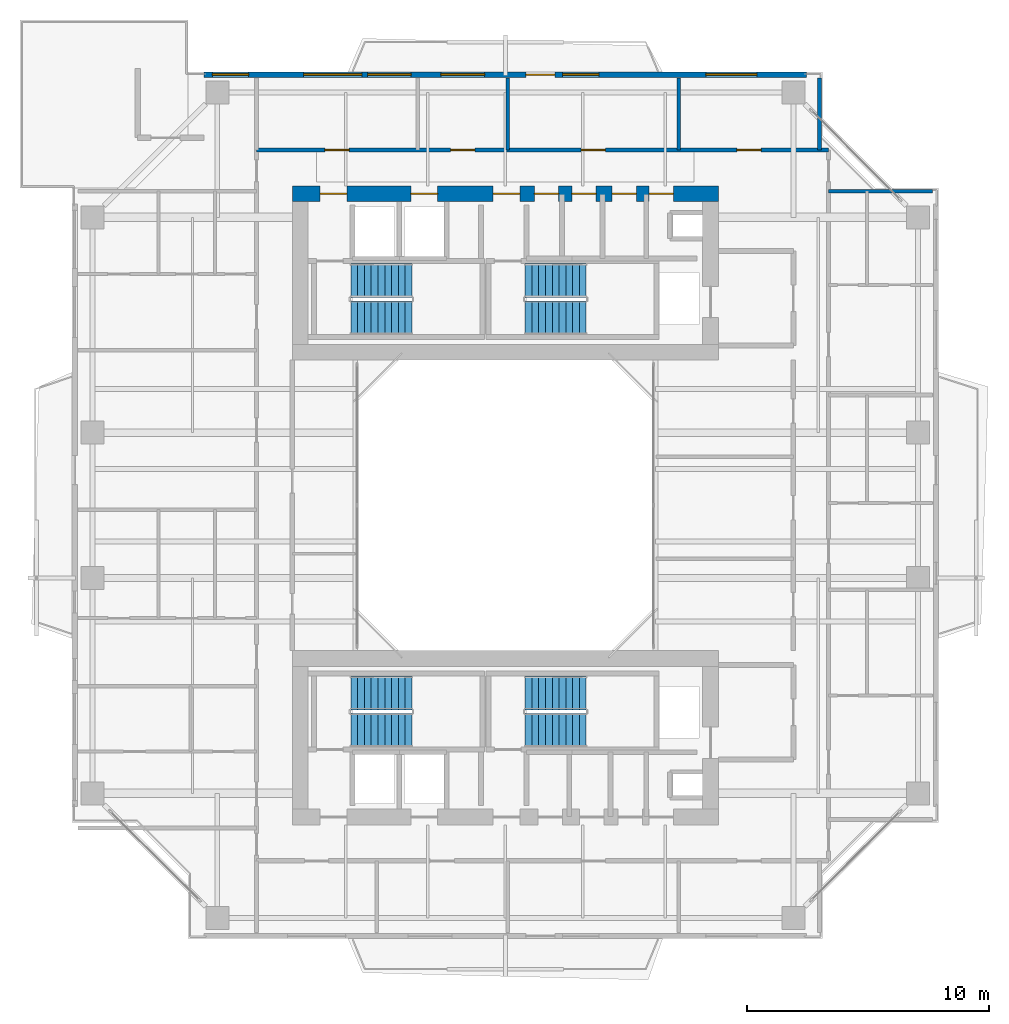
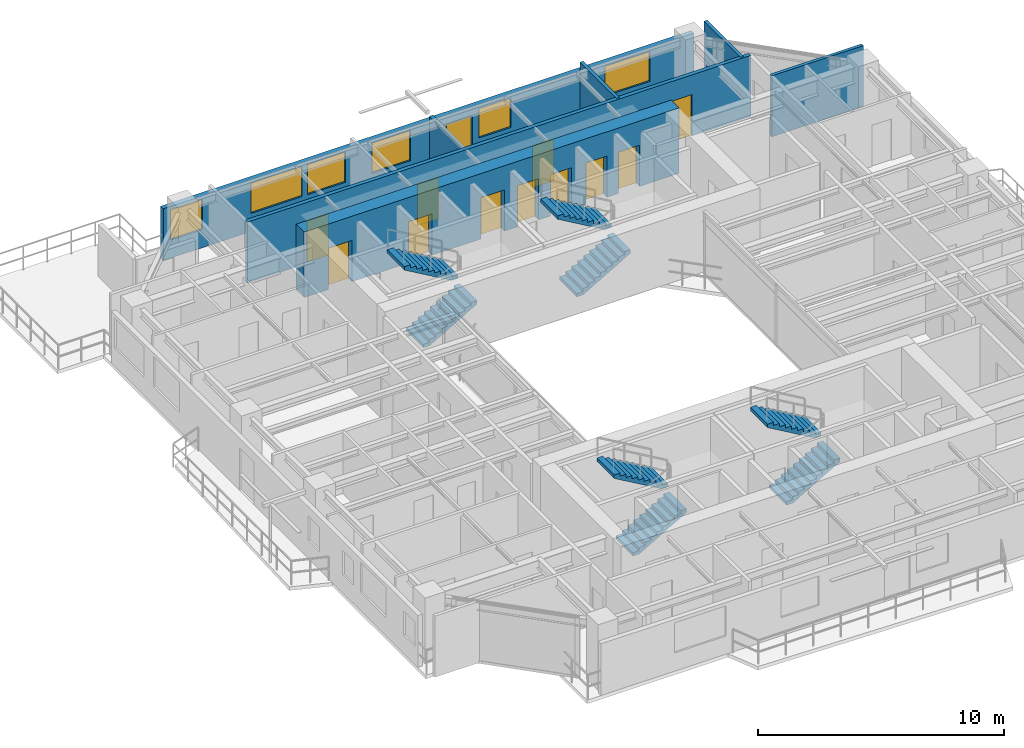
# One storey, part 14 of 18: 12 doors, 8 stair flights, 7 walls, 6 windows, 18 openings, 4 elements without a shape of their own.
"""IFC4 building model written with IfcOpenShell, lengths in metres."""

from ifc_helpers import new_model, si_unit, direction, frame, frame_2d, origin, place, context, subcontext, project, spatial, polyline, rectangle, outline, extrude, source, transform, mapped, material, layer, layer_set, type_object, element, fill, aggregate, save


model = new_model("IFC4")

# Units and contexts
model_context = context("Model", 3, precision=1e-05, world=origin(), true_north=direction((0.0, 1.0)))
body_context = subcontext(model_context, "Body", "Model", "MODEL_VIEW")
ifc_project = project(units=[si_unit("LENGTHUNIT", "METRE"), si_unit("AREAUNIT", "SQUARE_METRE"), si_unit("VOLUMEUNIT", "CUBIC_METRE"), si_unit("PLANEANGLEUNIT", "RADIAN"), si_unit("MASSUNIT", "GRAM", prefix="KILO"), si_unit("THERMODYNAMICTEMPERATUREUNIT", "KELVIN"), si_unit("POWERUNIT", "WATT")], contexts=[model_context])

# Site, building, storey
site_placement = place(None, origin())
site = spatial("IfcSite", under=ifc_project, at=site_placement, CompositionType="ELEMENT")
building_placement = place(site_placement, origin())
building = spatial("IfcBuilding", under=site, at=building_placement, Name="Qiaomeng Ring Towers", CompositionType="ELEMENT")
storey_placement = place(building_placement, frame((0.0, 0.0, 182.75)))
storey = spatial("IfcBuildingStorey", under=building, at=storey_placement, Name="L53", CompositionType="ELEMENT", Elevation=182.75)

# Wall, openings, windows, door
ifc_material_1 = material(Name="Precast concrete C40", Category="concrete")
ifc_layer_1 = layer(ifc_material_1, 0.219970703125, Name="Precast concrete C40")
ifc_layer_set_1 = layer_set([ifc_layer_1], Name="Precast concrete C40")
wall_type_1 = type_object("IfcWallType", Name="ARC-WL-EW2", PredefinedType="STANDARD", material=ifc_layer_set_1)
wall_1_placement = place(storey_placement, frame((6.550048828125, 40.7900390625, 0.0), z_axis=(0.0, 0.0, 1.0), x_axis=(1.0, 0.0, 0.0)))
wall_1 = element("IfcWall", 1, at=wall_1_placement, inside=storey, type_object=wall_type_1, Name="L53 Tower 1 N Exterior Wall", PredefinedType="STANDARD", context=body_context, shape_type="SweptSolid", body=[
    extrude(rectangle(XDim=24.89990234375, YDim=0.219970703125, at=frame_2d((12.449951171875, 0.0))), origin(), (0.0, 0.0, 1.0), 2.570068359375),
])
opening_1_placement = place(wall_1_placement, frame((13.300048828125, 0.0, 0.0)))
opening_1 = element("IfcOpeningElement", 2, at=opening_1_placement, cuts=wall_1, Name="Opening BD1", PredefinedType="OPENING", context=body_context, shape_type="SweptSolid", body=[
    extrude(rectangle(XDim=1.199951171875, YDim=2.10009765625, at=frame_2d((0.60009765625, 1.050048828125))), frame((0.0, 0.119873046875, 0.0), z_axis=(0.0, -1.0, 0.0), x_axis=(1.0, 0.0, 0.0)), (0.0, 0.0, 1.0), 0.239990234375),
])
opening_2_placement = place(wall_1_placement, frame((0.342529296875, 0.0, 0.89990234375)))
opening_2 = element("IfcOpeningElement", 3, at=opening_2_placement, cuts=wall_1, Name="Opening WN2", PredefinedType="OPENING", context=body_context, shape_type="SweptSolid", body=[
    extrude(rectangle(XDim=1.5, YDim=1.5, at=frame_2d((0.75, 0.75))), frame((0.0, 0.119873046875, 0.0), z_axis=(0.0, -1.0, 0.0), x_axis=(1.0, 0.0, 0.0)), (0.0, 0.0, 1.0), 0.239990234375),
])
opening_3_placement = place(wall_1_placement, frame((9.7900390625, 0.0, 0.89990234375)))
opening_3 = element("IfcOpeningElement", 4, at=opening_3_placement, cuts=wall_1, Name="Opening WN1", PredefinedType="OPENING", context=body_context, shape_type="SweptSolid", body=[
    extrude(rectangle(XDim=1.800048828125, YDim=1.5, at=frame_2d((0.89990234375, 0.75))), frame((0.0, 0.119873046875, 0.0), z_axis=(0.0, -1.0, 0.0), x_axis=(1.0, 0.0, 0.0)), (0.0, 0.0, 1.0), 0.239990234375),
])
opening_4_placement = place(wall_1_placement, frame((14.81298828125, 0.0, 0.89990234375)))
opening_4 = element("IfcOpeningElement", 5, at=opening_4_placement, cuts=wall_1, Name="Opening WN2", PredefinedType="OPENING", context=body_context, shape_type="SweptSolid", body=[
    extrude(rectangle(XDim=1.5, YDim=1.449951171875, at=frame_2d((0.75, 0.72509765625))), frame((0.0, 0.119873046875, 0.0), z_axis=(0.0, -1.0, 0.0), x_axis=(1.0, 0.0, 0.0)), (0.0, 0.0, 1.0), 0.239990234375),
])
opening_5_placement = place(wall_1_placement, frame((20.738037109375, 0.0, 0.89990234375)))
opening_5 = element("IfcOpeningElement", 6, at=opening_5_placement, cuts=wall_1, Name="Opening WN4", PredefinedType="OPENING", context=body_context, shape_type="SweptSolid", body=[
    extrude(rectangle(XDim=2.10009765625, YDim=1.47998046875, at=frame_2d((1.050048828125, 0.739990234375))), frame((0.0, 0.119873046875, 0.0), z_axis=(0.0, -1.0, 0.0), x_axis=(1.0, 0.0, 0.0)), (0.0, 0.0, 1.0), 0.239990234375),
])
opening_6_placement = place(wall_1_placement, frame((4.12158203125, 0.0, 0.89990234375)))
opening_6 = element("IfcOpeningElement", 7, at=opening_6_placement, cuts=wall_1, Name="Opening WN6", PredefinedType="OPENING", context=body_context, shape_type="SweptSolid", body=[
    extrude(rectangle(XDim=2.39990234375, YDim=1.5, at=frame_2d((1.199951171875, 0.75))), frame((0.0, 0.119873046875, 0.0), z_axis=(0.0, -1.0, 0.0), x_axis=(1.0, 0.0, 0.0)), (0.0, 0.0, 1.0), 0.239990234375),
])
opening_7_placement = place(wall_1_placement, frame((6.75830078125, 0.0, 0.89990234375)))
opening_7 = element("IfcOpeningElement", 8, at=opening_7_placement, cuts=wall_1, Name="Opening WN1", PredefinedType="OPENING", context=body_context, shape_type="SweptSolid", body=[
    extrude(rectangle(XDim=1.800048828125, YDim=1.5, at=frame_2d((0.89990234375, 0.75))), frame((0.0, 0.119873046875, 0.0), z_axis=(0.0, -1.0, 0.0), x_axis=(1.0, 0.0, 0.0)), (0.0, 0.0, 1.0), 0.239990234375),
])
ifc_material_2 = material(Name="Low-E dark-grey laminated double glazing", Category="glass")
window_type_1 = type_object("IfcWindowType", Name="ARC-WN-2", PartitioningType="DOUBLE_PANEL_VERTICAL", PredefinedType="WINDOW", material=ifc_material_2)
shared_shape_1 = source(origin(), body_context, "Body", "SweptSolid", [
    extrude(rectangle(XDim=1.5, YDim=1.449951171875, at=frame_2d((0.75, 0.72509765625))), frame((0.0, 0.030029296875, 0.0), z_axis=(0.0, -1.0, 0.0), x_axis=(1.0, 0.0, 0.0)), (0.0, 0.0, 1.0), 0.06005859375),
])
window_1_placement = place(opening_4_placement, origin())
window_1 = element("IfcWindow", 9, at=window_1_placement, inside=storey, type_object=window_type_1, Name="L53 Exterior Window WN2", OverallHeight=1.449951171875, OverallWidth=1.5, PartitioningType="DOUBLE_PANEL_VERTICAL", PredefinedType="WINDOW", context=body_context, shape_type="MappedRepresentation", body=[
    mapped(shared_shape_1, transform((0.0, 0.0, 0.0), x_axis=(1.0, 0.0, 0.0), y_axis=(0.0, 1.0, 0.0), z_axis=(0.0, 0.0, 1.0), scale=1.0)),
])
fill(opening_4, window_1)
window_type_2 = type_object("IfcWindowType", Name="ARC-WN-4", PartitioningType="TRIPLE_PANEL_VERTICAL", PredefinedType="WINDOW", material=ifc_material_2)
shared_shape_2 = source(origin(), body_context, "Body", "SweptSolid", [
    extrude(rectangle(XDim=2.10009765625, YDim=1.47998046875, at=frame_2d((1.050048828125, 0.739990234375))), frame((0.0, 0.030029296875, 0.0), z_axis=(0.0, -1.0, 0.0), x_axis=(1.0, 0.0, 0.0)), (0.0, 0.0, 1.0), 0.06005859375),
])
window_2_placement = place(opening_5_placement, origin())
window_2 = element("IfcWindow", 10, at=window_2_placement, inside=storey, type_object=window_type_2, Name="L53 Exterior Window WN4", OverallHeight=1.47998046875, OverallWidth=2.10009765625, PartitioningType="TRIPLE_PANEL_VERTICAL", PredefinedType="WINDOW", context=body_context, shape_type="MappedRepresentation", body=[
    mapped(shared_shape_2, transform((0.0, 0.0, 0.0), x_axis=(1.0, 0.0, 0.0), y_axis=(0.0, 1.0, 0.0), z_axis=(0.0, 0.0, 1.0), scale=1.0)),
])
fill(opening_5, window_2)
door_type_1 = type_object("IfcDoorType", Name="ARC-DR-BD1", OperationType="NOTDEFINED", PredefinedType="DOOR", material=ifc_material_2)
shared_shape_3 = source(origin(), body_context, "Body", "SweptSolid", [
    extrude(rectangle(XDim=1.199951171875, YDim=2.10009765625, at=frame_2d((0.60009765625, 1.050048828125))), frame((0.0, 0.02490234375, 0.0), z_axis=(0.0, -1.0, 0.0), x_axis=(1.0, 0.0, 0.0)), (0.0, 0.0, 1.0), 0.050048828125),
])
door_1_placement = place(opening_1_placement, origin())
door_1 = element("IfcDoor", 11, at=door_1_placement, inside=storey, type_object=door_type_1, Name="L53 N Balcony Glazed Door", OperationType="SINGLE_SWING_LEFT", OverallHeight=2.10009765625, OverallWidth=1.199951171875, PredefinedType="DOOR", context=body_context, shape_type="MappedRepresentation", body=[
    mapped(shared_shape_3, transform((0.0, 0.0, 0.0), x_axis=(1.0, 0.0, 0.0), y_axis=(0.0, 1.0, 0.0), z_axis=(0.0, 0.0, 1.0), scale=1.0)),
])
fill(opening_1, door_1)
shared_shape_4 = source(origin(), body_context, "Body", "SweptSolid", [
    extrude(rectangle(XDim=1.5, YDim=1.5, at=frame_2d((0.75, 0.75))), frame((0.0, 0.030029296875, 0.0), z_axis=(0.0, -1.0, 0.0), x_axis=(1.0, 0.0, 0.0)), (0.0, 0.0, 1.0), 0.06005859375),
])
window_3_placement = place(opening_2_placement, origin())
window_3 = element("IfcWindow", 12, at=window_3_placement, inside=storey, type_object=window_type_1, Name="L53 Exterior Window WN6", OverallHeight=1.5, OverallWidth=1.5, PartitioningType="TRIPLE_PANEL_VERTICAL", PredefinedType="WINDOW", context=body_context, shape_type="MappedRepresentation", body=[
    mapped(shared_shape_4, transform((0.0, 0.0, 0.0), x_axis=(1.0, 0.0, 0.0), y_axis=(0.0, 1.0, 0.0), z_axis=(0.0, 0.0, 1.0), scale=1.0)),
])
fill(opening_2, window_3)
window_type_3 = type_object("IfcWindowType", Name="ARC-WN-6", PartitioningType="TRIPLE_PANEL_VERTICAL", PredefinedType="WINDOW", material=ifc_material_2)
shared_shape_5 = source(origin(), body_context, "Body", "SweptSolid", [
    extrude(rectangle(XDim=2.39990234375, YDim=1.5, at=frame_2d((1.199951171875, 0.75))), frame((0.0, 0.030029296875, 0.0), z_axis=(0.0, -1.0, 0.0), x_axis=(1.0, 0.0, 0.0)), (0.0, 0.0, 1.0), 0.06005859375),
])
window_4_placement = place(opening_6_placement, origin())
window_4 = element("IfcWindow", 13, at=window_4_placement, inside=storey, type_object=window_type_3, Name="L53 Exterior Window WN6", OverallHeight=1.5, OverallWidth=2.39990234375, PartitioningType="TRIPLE_PANEL_VERTICAL", PredefinedType="WINDOW", context=body_context, shape_type="MappedRepresentation", body=[
    mapped(shared_shape_5, transform((0.0, 0.0, 0.0), x_axis=(1.0, 0.0, 0.0), y_axis=(0.0, 1.0, 0.0), z_axis=(0.0, 0.0, 1.0), scale=1.0)),
])
fill(opening_6, window_4)
window_type_4 = type_object("IfcWindowType", Name="ARC-WN-1", PartitioningType="DOUBLE_PANEL_VERTICAL", PredefinedType="WINDOW", material=ifc_material_2)
shared_shape_6 = source(origin(), body_context, "Body", "SweptSolid", [
    extrude(rectangle(XDim=1.800048828125, YDim=1.5, at=frame_2d((0.89990234375, 0.75))), frame((0.0, 0.030029296875, 0.0), z_axis=(0.0, -1.0, 0.0), x_axis=(1.0, 0.0, 0.0)), (0.0, 0.0, 1.0), 0.06005859375),
])
window_5_placement = place(opening_3_placement, origin())
window_5 = element("IfcWindow", 14, at=window_5_placement, inside=storey, type_object=window_type_4, Name="L53 Exterior Window WN1", OverallHeight=1.5, OverallWidth=1.800048828125, PartitioningType="DOUBLE_PANEL_VERTICAL", PredefinedType="WINDOW", context=body_context, shape_type="MappedRepresentation", body=[
    mapped(shared_shape_6, transform((0.0, 0.0, 0.0), x_axis=(1.0, 0.0, 0.0), y_axis=(0.0, 1.0, 0.0), z_axis=(0.0, 0.0, 1.0), scale=1.0)),
])
fill(opening_3, window_5)
window_6_placement = place(opening_7_placement, origin())
window_6 = element("IfcWindow", 15, at=window_6_placement, inside=storey, type_object=window_type_4, Name="L53 Exterior Window WN1", OverallHeight=1.5, OverallWidth=1.800048828125, PartitioningType="DOUBLE_PANEL_VERTICAL", PredefinedType="WINDOW", context=body_context, shape_type="MappedRepresentation", body=[
    mapped(shared_shape_6, transform((0.0, 0.0, 0.0), x_axis=(1.0, 0.0, 0.0), y_axis=(0.0, 1.0, 0.0), z_axis=(0.0, 0.0, 1.0), scale=1.0)),
])
fill(opening_7, window_6)

# Wall, openings, doors
ifc_material_3 = material(Name="Autoclaved aerated concrete block", Category="concrete")
ifc_layer_2 = layer(ifc_material_3, 0.179931640625, Name="Autoclaved aerated concrete block")
ifc_layer_set_2 = layer_set([ifc_layer_2], Name="Autoclaved aerated concrete block")
wall_type_2 = type_object("IfcWallType", Name="ARC-WL-PW2", PredefinedType="PARTITIONING", material=ifc_layer_set_2)
wall_2_placement = place(storey_placement, frame((8.719970703125, 37.679931640625, 0.0), z_axis=(0.0, 0.0, 1.0), x_axis=(1.0, 0.0, 0.0)))
wall_2 = element("IfcWall", 16, at=wall_2_placement, inside=storey, type_object=wall_type_2, Name="L53 Interior Wall PW2", PredefinedType="PARTITIONING", context=body_context, shape_type="SweptSolid", body=[
    extrude(rectangle(XDim=23.630126953125, YDim=0.179931640625, at=frame_2d((11.81494140625, 0.0))), origin(), (0.0, 0.0, 1.0), 3.030029296875),
])
opening_8_placement = place(wall_2_placement, frame((2.830078125, 0.0, 0.0)))
opening_8 = element("IfcOpeningElement", 17, at=opening_8_placement, cuts=wall_2, Name="Opening FD4", PredefinedType="OPENING", context=body_context, shape_type="SweptSolid", body=[
    extrude(rectangle(XDim=1.0, YDim=2.050048828125, at=frame_2d((0.5, 1.02490234375))), frame((0.0, 0.099853515625, 0.0), z_axis=(0.0, -1.0, 0.0), x_axis=(1.0, 0.0, 0.0)), (0.0, 0.0, 1.0), 0.199951171875),
])
opening_9_placement = place(wall_2_placement, frame((8.02001953125, 0.0, 0.0)))
opening_9 = element("IfcOpeningElement", 18, at=opening_9_placement, cuts=wall_2, Name="Opening FD4", PredefinedType="OPENING", context=body_context, shape_type="SweptSolid", body=[
    extrude(rectangle(XDim=1.0, YDim=2.050048828125, at=frame_2d((0.5, 1.02490234375))), frame((0.0, 0.099853515625, 0.0), z_axis=(0.0, -1.0, 0.0), x_axis=(1.0, 0.0, 0.0)), (0.0, 0.0, 1.0), 0.199951171875),
])
opening_10_placement = place(wall_2_placement, frame((13.409912109375, 0.0, 0.0)))
opening_10 = element("IfcOpeningElement", 19, at=opening_10_placement, cuts=wall_2, Name="Opening FD4", PredefinedType="OPENING", context=body_context, shape_type="SweptSolid", body=[
    extrude(rectangle(XDim=1.0, YDim=2.050048828125, at=frame_2d((0.5, 1.02490234375))), frame((0.0, 0.099853515625, 0.0), z_axis=(0.0, -1.0, 0.0), x_axis=(1.0, 0.0, 0.0)), (0.0, 0.0, 1.0), 0.199951171875),
])
opening_11_placement = place(wall_2_placement, frame((19.85009765625, 0.0, 0.0)))
opening_11 = element("IfcOpeningElement", 20, at=opening_11_placement, cuts=wall_2, Name="Opening FD4", PredefinedType="OPENING", context=body_context, shape_type="SweptSolid", body=[
    extrude(rectangle(XDim=1.0, YDim=2.050048828125, at=frame_2d((0.5, 1.02490234375))), frame((0.0, 0.099853515625, 0.0), z_axis=(0.0, -1.0, 0.0), x_axis=(1.0, 0.0, 0.0)), (0.0, 0.0, 1.0), 0.199951171875),
])
ifc_material_4 = material(Name="Engineered fire-rated oak timber", Category="wood")
door_type_2 = type_object("IfcDoorType", Name="ARC-DR-FD4", OperationType="NOTDEFINED", PredefinedType="DOOR", material=ifc_material_4)
shared_shape_7 = source(origin(), body_context, "Body", "SweptSolid", [
    extrude(rectangle(XDim=1.0, YDim=2.050048828125, at=frame_2d((0.5, 1.02490234375))), frame((0.0, 0.02490234375, 0.0), z_axis=(0.0, -1.0, 0.0), x_axis=(1.0, 0.0, 0.0)), (0.0, 0.0, 1.0), 0.050048828125),
])
door_2_placement = place(opening_8_placement, origin())
door_2 = element("IfcDoor", 21, at=door_2_placement, inside=storey, type_object=door_type_2, Name="L53 Door FD4", OperationType="SINGLE_SWING_LEFT", OverallHeight=2.050048828125, OverallWidth=1.0, PredefinedType="DOOR", context=body_context, shape_type="MappedRepresentation", body=[
    mapped(shared_shape_7, transform((0.0, 0.0, 0.0), x_axis=(1.0, 0.0, 0.0), y_axis=(0.0, 1.0, 0.0), z_axis=(0.0, 0.0, 1.0), scale=1.0)),
])
fill(opening_8, door_2)
door_3_placement = place(opening_9_placement, origin())
door_3 = element("IfcDoor", 22, at=door_3_placement, inside=storey, type_object=door_type_2, Name="L53 Door FD4", OperationType="SINGLE_SWING_RIGHT", OverallHeight=2.050048828125, OverallWidth=1.0, PredefinedType="DOOR", context=body_context, shape_type="MappedRepresentation", body=[
    mapped(shared_shape_7, transform((0.0, 0.0, 0.0), x_axis=(1.0, 0.0, 0.0), y_axis=(0.0, 1.0, 0.0), z_axis=(0.0, 0.0, 1.0), scale=1.0)),
])
fill(opening_9, door_3)
door_4_placement = place(opening_10_placement, origin())
door_4 = element("IfcDoor", 23, at=door_4_placement, inside=storey, type_object=door_type_2, Name="L53 Door FD4", OperationType="SINGLE_SWING_LEFT", OverallHeight=2.050048828125, OverallWidth=1.0, PredefinedType="DOOR", context=body_context, shape_type="MappedRepresentation", body=[
    mapped(shared_shape_7, transform((0.0, 0.0, 0.0), x_axis=(1.0, 0.0, 0.0), y_axis=(0.0, 1.0, 0.0), z_axis=(0.0, 0.0, 1.0), scale=1.0)),
])
fill(opening_10, door_4)
door_5_placement = place(opening_11_placement, origin())
door_5 = element("IfcDoor", 24, at=door_5_placement, inside=storey, type_object=door_type_2, Name="L53 Door FD4", OperationType="SINGLE_SWING_RIGHT", OverallHeight=2.050048828125, OverallWidth=1.0, PredefinedType="DOOR", context=body_context, shape_type="MappedRepresentation", body=[
    mapped(shared_shape_7, transform((0.0, 0.0, 0.0), x_axis=(1.0, 0.0, 0.0), y_axis=(0.0, 1.0, 0.0), z_axis=(0.0, 0.0, 1.0), scale=1.0)),
])
fill(opening_11, door_5)

# Walls
ifc_material_5 = material(Name="Gypsum fireboard steel-stud partition", Category="steel")
ifc_layer_3 = layer(ifc_material_5, 0.14990234375, Name="Gypsum fireboard steel-stud partition")
ifc_layer_set_3 = layer_set([ifc_layer_3], Name="Gypsum fireboard steel-stud partition")
wall_type_3 = type_object("IfcWallType", Name="ARC-WL-PW3", PredefinedType="PARTITIONING", material=ifc_layer_set_3)
wall_3_placement = place(storey_placement, frame((19.10009765625, 37.679931640625, 0.0), z_axis=(0.0, 0.0, 1.0), x_axis=(0.0, 1.0, 0.0)))
element("IfcWall", 25, at=wall_3_placement, inside=storey, type_object=wall_type_3, Name="L53 Interior Wall PW3", PredefinedType="PARTITIONING", context=body_context, shape_type="SweptSolid", body=[
    extrude(rectangle(XDim=2.969970703125, YDim=0.14990234375, at=frame_2d((1.48486328125, 0.0))), origin(), (0.0, 0.0, 1.0), 2.824951171875),
])
for number, where, z_axis, x_axis, name in (
    (26, (26.159912109375, 37.679931640625, 0.0), (0.0, 0.0, 1.0), (0.0, 1.0, 0.0), "L53 Interior Wall PW3"),
    (27, (31.97998046875, 37.679931640625, 0.0), (0.0, 0.0, 1.0), (0.0, 1.0, 0.0), "L53 Interior Wall PW3"),
):
    element("IfcWall", number, at=place(storey_placement, frame(where, z_axis=z_axis, x_axis=x_axis)), inside=storey, type_object=wall_type_3, Name=name, PredefinedType="PARTITIONING", context=body_context, shape_type="SweptSolid", body=[
        extrude(rectangle(XDim=2.969970703125, YDim=0.14990234375, at=frame_2d((1.48486328125, 0.0))), origin(), (0.0, 0.0, 1.0), 3.030029296875),
    ])
wall_4_placement = place(storey_placement, frame((32.35009765625, 35.97998046875, 0.0), z_axis=(0.0, 0.0, 1.0), x_axis=(1.0, 0.0, 0.0)))
element("IfcWall", 28, at=wall_4_placement, inside=storey, type_object=wall_type_3, Name="L53 Interior Wall PW3", PredefinedType="PARTITIONING", context=body_context, shape_type="SweptSolid", body=[
    extrude(rectangle(XDim=4.2998046875, YDim=0.14990234375, at=frame_2d((2.14990234375, 0.0))), origin(), (0.0, 0.0, 1.0), 3.030029296875),
])

# Wall, openings, doors
ifc_material_6 = material(Name="Concrete C50", Category="concrete")
ifc_layer_4 = layer(ifc_material_6, 0.64990234375, Name="Concrete C50")
ifc_layer_set_4 = layer_set([ifc_layer_4], Name="Concrete C50")
wall_type_4 = type_object("IfcWallType", Name="STR-WL-SW2B", PredefinedType="SHEAR", material=ifc_layer_set_4)
wall_5_placement = place(storey_placement, frame((10.199951171875, 35.875, 0.0), z_axis=(0.0, 0.0, 1.0), x_axis=(1.0, 0.0, 0.0)))
wall_5 = element("IfcWall", 29, at=wall_5_placement, inside=storey, type_object=wall_type_4, Name="L53 T1NC north core shear wall", PredefinedType="SHEAR", context=body_context, shape_type="SweptSolid", body=[
    extrude(rectangle(XDim=17.60009765625, YDim=0.64990234375, at=frame_2d((8.800048828125, 0.0))), origin(), (0.0, 0.0, 1.0), 3.25),
])
opening_12_placement = place(wall_5_placement, frame((1.14990234375, 0.0, 0.0)))
opening_12 = element("IfcOpeningElement", 30, at=opening_12_placement, cuts=wall_5, Name="Opening FD3", PredefinedType="OPENING", context=body_context, shape_type="SweptSolid", body=[
    extrude(rectangle(XDim=1.10009765625, YDim=2.050048828125, at=frame_2d((0.550048828125, 1.02490234375))), frame((0.0, 0.3349609375, 0.0), z_axis=(0.0, -1.0, 0.0), x_axis=(1.0, 0.0, 0.0)), (0.0, 0.0, 1.0), 0.669921875),
])
opening_13_placement = place(wall_5_placement, frame((8.300048828125, 0.0, 0.0)))
opening_13 = element("IfcOpeningElement", 31, at=opening_13_placement, cuts=wall_5, Name="Opening FD3", PredefinedType="OPENING", context=body_context, shape_type="SweptSolid", body=[
    extrude(rectangle(XDim=1.10009765625, YDim=2.050048828125, at=frame_2d((0.550048828125, 1.02490234375))), frame((0.0, 0.3349609375, 0.0), z_axis=(0.0, -1.0, 0.0), x_axis=(1.0, 0.0, 0.0)), (0.0, 0.0, 1.0), 0.669921875),
])
opening_14_placement = place(wall_5_placement, frame((4.89990234375, 0.0, 0.0)))
opening_14 = element("IfcOpeningElement", 32, at=opening_14_placement, cuts=wall_5, Name="Opening LD1", PredefinedType="OPENING", context=body_context, shape_type="SweptSolid", body=[
    extrude(rectangle(XDim=1.10009765625, YDim=2.050048828125, at=frame_2d((0.550048828125, 1.02490234375))), frame((0.0, 0.3349609375, 0.0), z_axis=(0.0, -1.0, 0.0), x_axis=(1.0, 0.0, 0.0)), (0.0, 0.0, 1.0), 0.669921875),
])
opening_15_placement = place(wall_5_placement, frame((14.739990234375, 0.0, 0.0)))
opening_15 = element("IfcOpeningElement", 33, at=opening_15_placement, cuts=wall_5, Name="Opening FD1", PredefinedType="OPENING", context=body_context, shape_type="SweptSolid", body=[
    extrude(rectangle(XDim=1.0, YDim=2.050048828125, at=frame_2d((0.5, 1.02490234375))), frame((0.0, 0.3349609375, 0.0), z_axis=(0.0, -1.0, 0.0), x_axis=(1.0, 0.0, 0.0)), (0.0, 0.0, 1.0), 0.669921875),
])
opening_16_placement = place(wall_5_placement, frame((10.0048828125, 0.0, 0.0)))
opening_16 = element("IfcOpeningElement", 34, at=opening_16_placement, cuts=wall_5, Name="Opening FD1", PredefinedType="OPENING", context=body_context, shape_type="SweptSolid", body=[
    extrude(rectangle(XDim=1.0, YDim=2.050048828125, at=frame_2d((0.5, 1.02490234375))), frame((0.0, 0.3349609375, 0.0), z_axis=(0.0, -1.0, 0.0), x_axis=(1.0, 0.0, 0.0)), (0.0, 0.0, 1.0), 0.669921875),
])
opening_17_placement = place(wall_5_placement, frame((11.550048828125, 0.0, 0.0)))
opening_17 = element("IfcOpeningElement", 35, at=opening_17_placement, cuts=wall_5, Name="Opening FD1", PredefinedType="OPENING", context=body_context, shape_type="SweptSolid", body=[
    extrude(rectangle(XDim=1.0, YDim=2.050048828125, at=frame_2d((0.5, 1.02490234375))), frame((0.0, 0.3349609375, 0.0), z_axis=(0.0, -1.0, 0.0), x_axis=(1.0, 0.0, 0.0)), (0.0, 0.0, 1.0), 0.669921875),
])
opening_18_placement = place(wall_5_placement, frame((13.215087890625, 0.0, 0.0)))
opening_18 = element("IfcOpeningElement", 36, at=opening_18_placement, cuts=wall_5, Name="Opening FD1", PredefinedType="OPENING", context=body_context, shape_type="SweptSolid", body=[
    extrude(rectangle(XDim=1.0, YDim=2.050048828125, at=frame_2d((0.5, 1.02490234375))), frame((0.0, 0.3349609375, 0.0), z_axis=(0.0, -1.0, 0.0), x_axis=(1.0, 0.0, 0.0)), (0.0, 0.0, 1.0), 0.669921875),
])
ifc_material_7 = material(Name="Galvanised steel", Category="steel")
door_type_3 = type_object("IfcDoorType", Name="ARC-DR-FD3", OperationType="NOTDEFINED", PredefinedType="DOOR", material=ifc_material_7)
shared_shape_8 = source(origin(), body_context, "Body", "SweptSolid", [
    extrude(rectangle(XDim=1.10009765625, YDim=2.050048828125, at=frame_2d((0.550048828125, 1.02490234375))), frame((0.0, 0.02490234375, 0.0), z_axis=(0.0, -1.0, 0.0), x_axis=(1.0, 0.0, 0.0)), (0.0, 0.0, 1.0), 0.050048828125),
])
door_6_placement = place(opening_12_placement, origin())
door_6 = element("IfcDoor", 37, at=door_6_placement, inside=storey, type_object=door_type_3, Name="L53 Stair ST1 Lobby Door", OperationType="SINGLE_SWING_LEFT", OverallHeight=2.050048828125, OverallWidth=1.10009765625, PredefinedType="DOOR", context=body_context, shape_type="MappedRepresentation", body=[
    mapped(shared_shape_8, transform((0.0, 0.0, 0.0), x_axis=(1.0, 0.0, 0.0), y_axis=(0.0, 1.0, 0.0), z_axis=(0.0, 0.0, 1.0), scale=1.0)),
])
fill(opening_12, door_6)
door_7_placement = place(opening_13_placement, origin())
door_7 = element("IfcDoor", 38, at=door_7_placement, inside=storey, type_object=door_type_3, Name="L53 Stair ST2 Lobby Door", OperationType="SINGLE_SWING_LEFT", OverallHeight=2.050048828125, OverallWidth=1.10009765625, PredefinedType="DOOR", context=body_context, shape_type="MappedRepresentation", body=[
    mapped(shared_shape_8, transform((0.0, 0.0, 0.0), x_axis=(1.0, 0.0, 0.0), y_axis=(0.0, 1.0, 0.0), z_axis=(0.0, 0.0, 1.0), scale=1.0)),
])
fill(opening_13, door_7)
ifc_material_8 = material(Name="Stainless steel 316", Category="steel")
door_type_4 = type_object("IfcDoorType", Name="ARC-DR-LD1", OperationType="NOTDEFINED", PredefinedType="DOOR", material=ifc_material_8)
door_8_placement = place(opening_14_placement, origin())
door_8 = element("IfcDoor", 39, at=door_8_placement, inside=storey, type_object=door_type_4, Name="L53 Mid-Zone Lift LP3 Landing Door", OperationType="SLIDING_TO_LEFT", OverallHeight=2.050048828125, OverallWidth=1.10009765625, PredefinedType="DOOR", context=body_context, shape_type="MappedRepresentation", body=[
    mapped(shared_shape_8, transform((0.0, 0.0, 0.0), x_axis=(1.0, 0.0, 0.0), y_axis=(0.0, 1.0, 0.0), z_axis=(0.0, 0.0, 1.0), scale=1.0)),
])
fill(opening_14, door_8)
door_type_5 = type_object("IfcDoorType", Name="ARC-DR-FD1", OperationType="NOTDEFINED", PredefinedType="DOOR", material=ifc_material_7)
door_9_placement = place(opening_15_placement, origin())
door_9 = element("IfcDoor", 40, at=door_9_placement, inside=storey, type_object=door_type_5, Name="L53 North Electrical Riser Door", OperationType="SINGLE_SWING_LEFT", OverallHeight=2.050048828125, OverallWidth=1.0, PredefinedType="DOOR", context=body_context, shape_type="MappedRepresentation", body=[
    mapped(shared_shape_7, transform((0.0, 0.0, 0.0), x_axis=(1.0, 0.0, 0.0), y_axis=(0.0, 1.0, 0.0), z_axis=(0.0, 0.0, 1.0), scale=1.0)),
])
fill(opening_15, door_9)
door_10_placement = place(opening_16_placement, origin())
door_10 = element("IfcDoor", 41, at=door_10_placement, inside=storey, type_object=door_type_5, Name="L53 North Cleaners Cupboard Door", OperationType="SINGLE_SWING_LEFT", OverallHeight=2.050048828125, OverallWidth=1.0, PredefinedType="DOOR", context=body_context, shape_type="MappedRepresentation", body=[
    mapped(shared_shape_7, transform((0.0, 0.0, 0.0), x_axis=(1.0, 0.0, 0.0), y_axis=(0.0, 1.0, 0.0), z_axis=(0.0, 0.0, 1.0), scale=1.0)),
])
fill(opening_16, door_10)
door_11_placement = place(opening_17_placement, origin())
door_11 = element("IfcDoor", 42, at=door_11_placement, inside=storey, type_object=door_type_5, Name="L53 North Staff Tea Pantry Door", OperationType="SINGLE_SWING_RIGHT", OverallHeight=2.050048828125, OverallWidth=1.0, PredefinedType="DOOR", context=body_context, shape_type="MappedRepresentation", body=[
    mapped(shared_shape_7, transform((0.0, 0.0, 0.0), x_axis=(1.0, 0.0, 0.0), y_axis=(0.0, 1.0, 0.0), z_axis=(0.0, 0.0, 1.0), scale=1.0)),
])
fill(opening_17, door_11)
door_12_placement = place(opening_18_placement, origin())
door_12 = element("IfcDoor", 43, at=door_12_placement, inside=storey, type_object=door_type_5, Name="L53 North Records Study Door", OperationType="SINGLE_SWING_LEFT", OverallHeight=2.050048828125, OverallWidth=1.0, PredefinedType="DOOR", context=body_context, shape_type="MappedRepresentation", body=[
    mapped(shared_shape_7, transform((0.0, 0.0, 0.0), x_axis=(1.0, 0.0, 0.0), y_axis=(0.0, 1.0, 0.0), z_axis=(0.0, 0.0, 1.0), scale=1.0)),
])
fill(opening_18, door_12)

# Stair, stair flights
stair_type = type_object("IfcStairType", Name="ARC-ST-325", PredefinedType="HALF_TURN_STAIR", material=ifc_material_1)
stair_1_placement = place(storey_placement, origin())
stair_1 = element("IfcStair", 44, at=stair_1_placement, inside=storey, type_object=stair_type, Name="L53 Tower 1 North Stair 1", PredefinedType="HALF_TURN_STAIR")
stair_flight_type = type_object("IfcStairFlightType", Name="ARC-ST-325-FL", PredefinedType="STRAIGHT", material=ifc_material_1)
shared_shape_9 = source(origin(), body_context, "Body", "SweptSolid", [
    extrude(outline(polyline([(0.0, 0.0), (0.0, 0.16259765625), (0.280029296875, 0.16259765625), (0.280029296875, 0.324951171875), (0.56005859375, 0.324951171875), (0.56005859375, 0.487548828125), (0.840087890625, 0.487548828125), (0.840087890625, 0.64990234375), (1.1201171875, 0.64990234375), (1.1201171875, 0.8125), (1.39990234375, 0.8125), (1.39990234375, 0.97509765625), (1.679931640625, 0.97509765625), (1.679931640625, 1.137451171875), (1.9599609375, 1.137451171875), (1.9599609375, 1.300048828125), (2.239990234375, 1.300048828125), (2.239990234375, 1.46240234375), (2.52001953125, 1.46240234375), (2.52001953125, 1.625), (2.52001953125, 1.2890625), (0.298583984375, 0.0), (0.0, 0.0)])), frame((0.0, 0.699951171875, 0.0), z_axis=(0.0, -1.0, 0.0), x_axis=(1.0, 0.0, 0.0)), (0.0, 0.0, 1.0), 1.39990234375),
])
stair_flight_1_placement = place(storey_placement, frame((12.6201171875, 30.75, 0.0), z_axis=(0.0, 0.0, 1.0), x_axis=(1.0, 0.0, 0.0)))
stair_flight_1 = element("IfcStairFlight", 45, at=stair_flight_1_placement, type_object=stair_flight_type, Name="ST1 flight 1", NumberOfRisers=10, NumberOfTreads=9, PredefinedType="STRAIGHT", RiserHeight=0.1625, TreadLength=0.28, context=body_context, shape_type="MappedRepresentation", body=[
    mapped(shared_shape_9, transform((0.0, 0.0, 0.0), x_axis=(1.0, 0.0, 0.0), y_axis=(0.0, 1.0, 0.0), z_axis=(0.0, 0.0, 1.0), scale=1.0)),
])
stair_flight_2_placement = place(storey_placement, frame((15.139892578125, 32.2900390625, 1.625), z_axis=(0.0, 0.0, 1.0), x_axis=(-1.0, 0.0, 0.0)))
stair_flight_2 = element("IfcStairFlight", 46, at=stair_flight_2_placement, type_object=stair_flight_type, Name="ST1 flight 2", NumberOfRisers=10, NumberOfTreads=9, PredefinedType="STRAIGHT", RiserHeight=0.1625, TreadLength=0.28, context=body_context, shape_type="MappedRepresentation", body=[
    mapped(shared_shape_9, transform((0.0, 0.0, 0.0), x_axis=(1.0, 0.0, 0.0), y_axis=(0.0, 1.0, 0.0), z_axis=(0.0, 0.0, 1.0), scale=1.0)),
])
aggregate(stair_1, [stair_flight_1, stair_flight_2])

stair_2_placement = place(storey_placement, origin())
stair_2 = element("IfcStair", 47, at=stair_2_placement, inside=storey, type_object=stair_type, Name="L53 Tower 1 North Stair 2", PredefinedType="HALF_TURN_STAIR")
stair_flight_3_placement = place(storey_placement, frame((19.820068359375, 30.75, 0.0), z_axis=(0.0, 0.0, 1.0), x_axis=(1.0, 0.0, 0.0)))
stair_flight_3 = element("IfcStairFlight", 48, at=stair_flight_3_placement, type_object=stair_flight_type, Name="ST2 flight 1", NumberOfRisers=10, NumberOfTreads=9, PredefinedType="STRAIGHT", RiserHeight=0.1625, TreadLength=0.28, context=body_context, shape_type="MappedRepresentation", body=[
    mapped(shared_shape_9, transform((0.0, 0.0, 0.0), x_axis=(1.0, 0.0, 0.0), y_axis=(0.0, 1.0, 0.0), z_axis=(0.0, 0.0, 1.0), scale=1.0)),
])
stair_flight_4_placement = place(storey_placement, frame((22.340087890625, 32.2900390625, 1.625), z_axis=(0.0, 0.0, 1.0), x_axis=(-1.0, 0.0, 0.0)))
stair_flight_4 = element("IfcStairFlight", 49, at=stair_flight_4_placement, type_object=stair_flight_type, Name="ST2 flight 2", NumberOfRisers=10, NumberOfTreads=9, PredefinedType="STRAIGHT", RiserHeight=0.1625, TreadLength=0.28, context=body_context, shape_type="MappedRepresentation", body=[
    mapped(shared_shape_9, transform((0.0, 0.0, 0.0), x_axis=(1.0, 0.0, 0.0), y_axis=(0.0, 1.0, 0.0), z_axis=(0.0, 0.0, 1.0), scale=1.0)),
])
aggregate(stair_2, [stair_flight_3, stair_flight_4])

stair_3_placement = place(storey_placement, origin())
stair_3 = element("IfcStair", 50, at=stair_3_placement, inside=storey, type_object=stair_type, Name="L53 Tower 1 South Stair 3", PredefinedType="HALF_TURN_STAIR")
stair_flight_5_placement = place(storey_placement, frame((12.6201171875, 13.7099609375, 0.0), z_axis=(0.0, 0.0, 1.0), x_axis=(1.0, 0.0, 0.0)))
stair_flight_5 = element("IfcStairFlight", 51, at=stair_flight_5_placement, type_object=stair_flight_type, Name="ST3 flight 1", NumberOfRisers=10, NumberOfTreads=9, PredefinedType="STRAIGHT", RiserHeight=0.1625, TreadLength=0.28, context=body_context, shape_type="MappedRepresentation", body=[
    mapped(shared_shape_9, transform((0.0, 0.0, 0.0), x_axis=(1.0, 0.0, 0.0), y_axis=(0.0, 1.0, 0.0), z_axis=(0.0, 0.0, 1.0), scale=1.0)),
])
stair_flight_6_placement = place(storey_placement, frame((15.139892578125, 15.25, 1.625), z_axis=(0.0, 0.0, 1.0), x_axis=(-1.0, 0.0, 0.0)))
stair_flight_6 = element("IfcStairFlight", 52, at=stair_flight_6_placement, type_object=stair_flight_type, Name="ST3 flight 2", NumberOfRisers=10, NumberOfTreads=9, PredefinedType="STRAIGHT", RiserHeight=0.1625, TreadLength=0.28, context=body_context, shape_type="MappedRepresentation", body=[
    mapped(shared_shape_9, transform((0.0, 0.0, 0.0), x_axis=(1.0, 0.0, 0.0), y_axis=(0.0, 1.0, 0.0), z_axis=(0.0, 0.0, 1.0), scale=1.0)),
])
aggregate(stair_3, [stair_flight_5, stair_flight_6])

stair_4_placement = place(storey_placement, origin())
stair_4 = element("IfcStair", 53, at=stair_4_placement, inside=storey, type_object=stair_type, Name="L53 Tower 1 South Stair 4", PredefinedType="HALF_TURN_STAIR")
stair_flight_7_placement = place(storey_placement, frame((19.820068359375, 13.7099609375, 0.0), z_axis=(0.0, 0.0, 1.0), x_axis=(1.0, 0.0, 0.0)))
stair_flight_7 = element("IfcStairFlight", 54, at=stair_flight_7_placement, type_object=stair_flight_type, Name="ST4 flight 1", NumberOfRisers=10, NumberOfTreads=9, PredefinedType="STRAIGHT", RiserHeight=0.1625, TreadLength=0.28, context=body_context, shape_type="MappedRepresentation", body=[
    mapped(shared_shape_9, transform((0.0, 0.0, 0.0), x_axis=(1.0, 0.0, 0.0), y_axis=(0.0, 1.0, 0.0), z_axis=(0.0, 0.0, 1.0), scale=1.0)),
])
stair_flight_8_placement = place(storey_placement, frame((22.340087890625, 15.25, 1.625), z_axis=(0.0, 0.0, 1.0), x_axis=(-1.0, 0.0, 0.0)))
stair_flight_8 = element("IfcStairFlight", 55, at=stair_flight_8_placement, type_object=stair_flight_type, Name="ST4 flight 2", NumberOfRisers=10, NumberOfTreads=9, PredefinedType="STRAIGHT", RiserHeight=0.1625, TreadLength=0.28, context=body_context, shape_type="MappedRepresentation", body=[
    mapped(shared_shape_9, transform((0.0, 0.0, 0.0), x_axis=(1.0, 0.0, 0.0), y_axis=(0.0, 1.0, 0.0), z_axis=(0.0, 0.0, 1.0), scale=1.0)),
])
aggregate(stair_4, [stair_flight_7, stair_flight_8])

save(model, "model.ifc")
